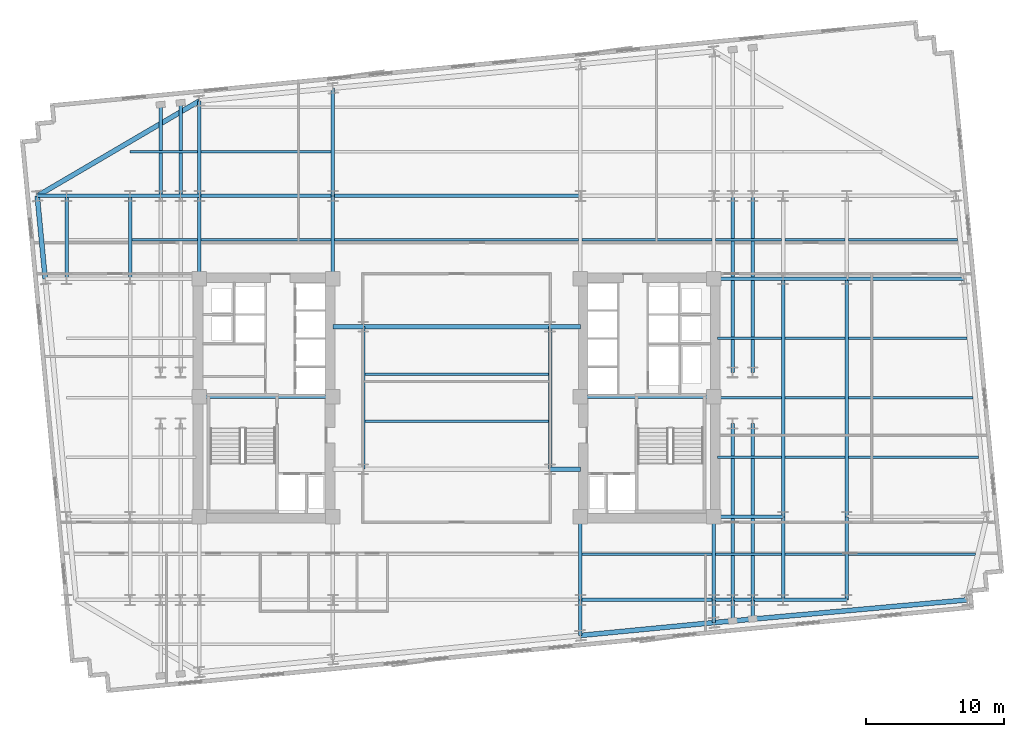
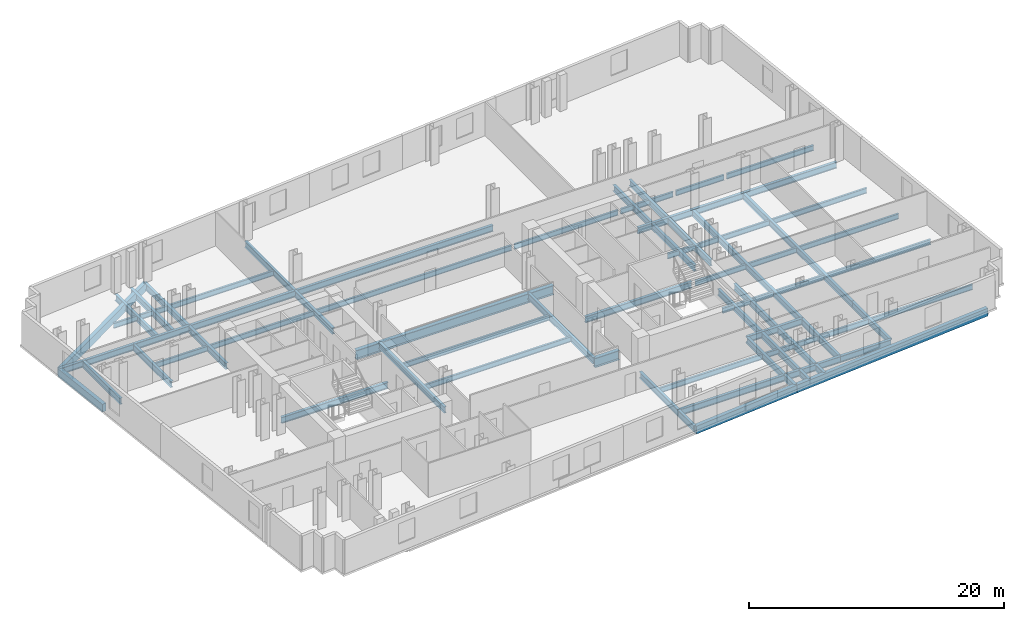
# One storey, part 2 of 10: 70 beams.
"""IFC4 building model written with IfcOpenShell, lengths in metres."""

import ifcopenshell
import ifcopenshell.guid

model = None  # the IFC model being written
_history = None  # IfcOwnerHistory: only IFC2X3 demands one
_inside = {}  # id of a spatial element -> (the spatial element, [elements in it])
_under = {}  # id of a project, library or spatial element -> (it, [spatial elements below it])
_declared = {}  # id of a project -> (the project, [libraries it declares])
_typed = {}  # id of a type object -> (the type object, [elements of that type])
_made_of = {}  # id of a material, layer set ... -> (it, [elements and type objects made of it])


def new_model(schema):
    """Start an empty IFC model of exactly this schema.

    Asked for "IFC4X3", IfcOpenShell would pick the latest addendum, in which some entities
    have other attributes; the version numbers below select the first issue.
    IFC2X3 requires an IfcOwnerHistory on every rooted entity: one is made here for all.
    """
    global model, _history
    if schema == "IFC4X3":
        model = ifcopenshell.file(schema_version=(4, 3, 0, 0))
    else:
        model = ifcopenshell.file(schema=schema)
    _inside.clear()
    _under.clear()
    _declared.clear()
    _typed.clear()
    _made_of.clear()
    _history = None
    if model.schema == "IFC2X3":
        org = make("IfcOrganization", Name="unknown")
        user = make(
            "IfcPersonAndOrganization",
            ThePerson=make("IfcPerson", FamilyName="unknown"),
            TheOrganization=org,
        )
        app = make(
            "IfcApplication",
            ApplicationDeveloper=org,
            Version="unknown",
            ApplicationFullName="unknown",
            ApplicationIdentifier="unknown",
        )
        _history = make(
            "IfcOwnerHistory",
            OwningUser=user,
            OwningApplication=app,
            ChangeAction="ADDED",
            CreationDate=0,
        )
    return model


def make(cls, **values):
    """One entity of the class cls with the attributes given. An attribute that is None is left unset."""
    return model.create_entity(
        cls, **{name: value for name, value in values.items() if value is not None}
    )


def rooted(cls, **values):
    """An entity with a GlobalId (a new one), such as an element, a storey or a relation."""
    return make(cls, GlobalId=ifcopenshell.guid.new(), OwnerHistory=_history, **values)


def si_unit(unit_type, name, prefix=None):
    """IfcSIUnit, for example si_unit("LENGTHUNIT", "METRE", prefix="MILLI")."""
    return make("IfcSIUnit", UnitType=unit_type, Prefix=prefix, Name=name)


def assignment(units):
    """IfcUnitAssignment: the units of a project."""
    return None if units is None else make("IfcUnitAssignment", Units=units)


def point(xyz):
    """IfcCartesianPoint."""
    return None if xyz is None else make("IfcCartesianPoint", Coordinates=xyz)


def direction(xyz):
    """IfcDirection."""
    return None if xyz is None else make("IfcDirection", DirectionRatios=xyz)


def frame(location, z_axis=None, x_axis=None):
    """IfcAxis2Placement3D, a coordinate frame: its origin and axes. An axis left out is left unset."""
    return make(
        "IfcAxis2Placement3D",
        Location=point(location),
        Axis=direction(z_axis),
        RefDirection=direction(x_axis),
    )


def frame_2d(location, x_axis=None):
    """IfcAxis2Placement2D, a coordinate frame in the plane: its origin and x axis."""
    return make(
        "IfcAxis2Placement2D", Location=point(location), RefDirection=direction(x_axis)
    )


def origin():
    """The frame at (0, 0, 0) with its axes left unset."""
    return frame((0.0, 0.0, 0.0))


def origin_2d():
    """The frame at (0, 0) in the plane with its x axis left unset."""
    return frame_2d((0.0, 0.0))


def place(relative_to, where):
    """IfcLocalPlacement: puts the frame where relative to a parent placement (None: the world)."""
    return make(
        "IfcLocalPlacement", PlacementRelTo=relative_to, RelativePlacement=where
    )


def context(
    kind, dimensions, precision=None, world=None, true_north=None, identifier=None
):
    """IfcGeometricRepresentationContext, for example the 3D "Model" context."""
    return make(
        "IfcGeometricRepresentationContext",
        ContextIdentifier=identifier,
        ContextType=kind,
        CoordinateSpaceDimension=dimensions,
        Precision=precision,
        WorldCoordinateSystem=world,
        TrueNorth=true_north,
    )


def subcontext(parent, identifier, kind, view, scale=None):
    """IfcGeometricRepresentationSubContext, for example "Body" below "Model"."""
    return make(
        "IfcGeometricRepresentationSubContext",
        ContextIdentifier=identifier,
        ContextType=kind,
        ParentContext=parent,
        TargetScale=scale,
        TargetView=view,
    )


def project(units=None, contexts=None):
    """IfcProject with its units and contexts."""
    return rooted(
        "IfcProject",
        Name="project",
        RepresentationContexts=contexts,
        UnitsInContext=assignment(units),
    )


def spatial(cls, under=None, at=None, **own):
    """A site, building, storey or space (cls), placed at a placement, below another one or the project."""
    s = rooted(cls, ObjectPlacement=at, **own)
    if under is not None:
        _under.setdefault(under.id(), (under, []))[1].append(s)
    return s


def profile(cls, at=None, kind="AREA", **sizes):
    """A parametric profile (cls). Its sizes go by their IFC names, for example OverallWidth=200.0."""
    return make(cls, ProfileType=kind, Position=at, **sizes)


def rectangle(**sizes):
    """IfcRectangleProfileDef."""
    return profile("IfcRectangleProfileDef", **sizes)


def i_section(**sizes):
    """IfcIShapeProfileDef."""
    return profile("IfcIShapeProfileDef", **sizes)


def extrude(swept, where, along, depth):
    """IfcExtrudedAreaSolid: the profile swept, set in the frame where, extruded along a direction by depth."""
    return make(
        "IfcExtrudedAreaSolid",
        SweptArea=swept,
        Position=where,
        ExtrudedDirection=direction(along),
        Depth=depth,
    )


def shape(context_of_items, identifier, shape_type, items):
    """IfcShapeRepresentation: the items that make up one representation, for example the "Body"."""
    return make(
        "IfcShapeRepresentation",
        ContextOfItems=context_of_items,
        RepresentationIdentifier=identifier,
        RepresentationType=shape_type,
        Items=items,
    )


def material(Name=None, Category=None):
    """IfcMaterial."""
    return make("IfcMaterial", Name=Name, Category=Category)


def material_profile(
    of_material, cross_section, Name=None, Category=None, Priority=None
):
    """IfcMaterialProfile: a cross section and its material."""
    return make(
        "IfcMaterialProfile",
        Name=Name,
        Material=of_material,
        Profile=cross_section,
        Priority=Priority,
        Category=Category,
    )


def profile_set(profiles, Name=None, composite=None):
    """IfcMaterialProfileSet."""
    return make(
        "IfcMaterialProfileSet",
        Name=Name,
        MaterialProfiles=profiles,
        CompositeProfile=composite,
    )


def made_of(thing, what):
    """Note that an element or type object is made of a material, layer set ...; save() writes the relation."""
    if what is not None:
        _made_of.setdefault(what.id(), (what, []))[1].append(thing)
    return thing


def type_object(cls, material=None, **own):
    """A type object (cls), such as IfcWallType, which elements share."""
    return made_of(rooted(cls, **own), material)


def element(
    cls,
    number,
    at=None,
    inside=None,
    cuts=None,
    type_object=None,
    material=None,
    context=None,
    identifier="Body",
    shape_type=None,
    held_by="IfcProductDefinitionShape",
    body=None,
    shapes=None,
    **own,
):
    """One element of the class cls, such as IfcWall. Its Tag is "e" and its number.

    at: its placement. inside: the storey or other place that contains it. cuts: it is an
    opening in that element (IfcRelVoidsElement). A single representation is given by context,
    identifier, shape_type and body (its items); several are given by shapes. held_by: the class
    of the entity that holds the representations. save() writes the other relations.
    """
    e = rooted(cls, Tag="e%d" % number, ObjectPlacement=at, **own)
    if body is not None:
        shapes = [shape(context, identifier, shape_type, body)]
    if shapes is not None:
        e.Representation = make(held_by, Representations=shapes)
    if inside is not None:
        _inside.setdefault(inside.id(), (inside, []))[1].append(e)
    if cuts is not None:
        rooted(
            "IfcRelVoidsElement", RelatingBuildingElement=cuts, RelatedOpeningElement=e
        )
    if type_object is not None:
        _typed.setdefault(type_object.id(), (type_object, []))[1].append(e)
    return made_of(e, material)


def aggregate(whole, parts):
    """IfcRelAggregates: a whole, such as a stair, and the parts it consists of."""
    return rooted("IfcRelAggregates", RelatingObject=whole, RelatedObjects=parts)


def save(model, path):
    """Write the relations noted so far, then the file.

    IfcRelAggregates (storeys below a building ...), IfcRelContainedInSpatialStructure (elements
    in a storey), IfcRelDefinesByType, IfcRelAssociatesMaterial and IfcRelDeclares: one each for
    every whole, place, type object, material and project.
    """
    for whole, parts in _under.values():
        aggregate(whole, parts)
    for where, things in _inside.values():
        rooted(
            "IfcRelContainedInSpatialStructure",
            RelatedElements=things,
            RelatingStructure=where,
        )
    for kind, things in _typed.values():
        rooted("IfcRelDefinesByType", RelatedObjects=things, RelatingType=kind)
    for what, things in _made_of.values():
        rooted("IfcRelAssociatesMaterial", RelatedObjects=things, RelatingMaterial=what)
    for by, libraries in _declared.values():
        rooted("IfcRelDeclares", RelatingContext=by, RelatedDefinitions=libraries)
    model.write(path)


model = new_model("IFC4")

# Units and contexts
model_context = context("Model", 3, precision=1e-05, world=origin(), true_north=direction((0.0, 1.0)))
body_context = subcontext(model_context, "Body", "Model", "MODEL_VIEW")
ifc_project = project(units=[si_unit("LENGTHUNIT", "METRE"), si_unit("AREAUNIT", "SQUARE_METRE"), si_unit("VOLUMEUNIT", "CUBIC_METRE"), si_unit("PLANEANGLEUNIT", "RADIAN"), si_unit("MASSUNIT", "GRAM", prefix="KILO")], contexts=[model_context])

# Site, building, storey
site_placement = place(None, origin())
site = spatial("IfcSite", under=ifc_project, at=site_placement, CompositionType="ELEMENT")
building_placement = place(site_placement, origin())
building = spatial("IfcBuilding", under=site, at=building_placement, Name="Velakula Bourse", CompositionType="ELEMENT")
storey_placement = place(building_placement, frame((0.0, 0.0, 81.10009765625)))
storey = spatial("IfcBuildingStorey", under=building, at=storey_placement, Name="L21", CompositionType="ELEMENT", Elevation=81.10009765625)

# Beams
ifc_material_1 = material(Name="Steel IS 2062 Grade 350 (E350)", Category="steel")
ifc_material_profile_1 = material_profile(ifc_material_1, i_section(OverallWidth=0.25, OverallDepth=0.60009765625, WebThickness=0.01171875, FlangeThickness=0.023681640625, at=origin_2d()), Name="Steel IS 2062 Grade 350 (E350)")
ifc_profile_set_1 = profile_set([ifc_material_profile_1], Name="Steel IS 2062 Grade 350 (E350)")
beam_type_1 = type_object("IfcBeamType", Name="BM-GRD-600H", PredefinedType="BEAM", material=ifc_profile_set_1)
for number, where, z_axis, x_axis, name in (
    (1, (-18.60009765625, 0.10009765625, -0.47998046875), (1.0, 0.0, 0.0), (0.0, 1.0, 0.0), "L21 Primary Backbone Girder CRW-M"),
    (2, (8.949951171875, 0.10009765625, -0.47998046875), (1.0, 0.0, 0.0), (0.0, 1.0, 0.0), "L21 Primary Backbone Girder CRE-M"),
):
    element("IfcBeam", number, at=place(storey_placement, frame(where, z_axis=z_axis, x_axis=x_axis)), inside=storey, type_object=beam_type_1, Name=name, PredefinedType="BEAM", context=body_context, shape_type="SweptSolid", body=[
        extrude(i_section(OverallWidth=0.25, OverallDepth=0.60009765625, WebThickness=0.01171875, FlangeThickness=0.023681640625, at=origin_2d()), origin(), (0.0, 0.0, 1.0), 9.650146484375),
    ])
for number, where, z_axis, x_axis, name in (
    (3, (-6.75, -5.14990234375, -0.47998046875), (0.0, 1.0, 0.0), (-1.0, 0.0, 0.0), "L21 Primary Backbone Girder SPN-W"),
    (4, (6.75, -5.14990234375, -0.47998046875), (0.0, 1.0, 0.0), (-1.0, 0.0, 0.0), "L21 Primary Backbone Girder SPN-E"),
):
    element("IfcBeam", number, at=place(storey_placement, frame(where, z_axis=z_axis, x_axis=x_axis)), inside=storey, type_object=beam_type_1, Name=name, PredefinedType="BEAM", context=body_context, shape_type="SweptSolid", body=[
        extrude(i_section(OverallWidth=0.25, OverallDepth=0.60009765625, WebThickness=0.01171875, FlangeThickness=0.023681640625, at=origin_2d()), origin(), (0.0, 0.0, 1.0), 10.2998046875),
    ])
for number, where, z_axis, x_axis, name in (
    (5, (-18.60009765625, 8.60009765625, -0.47998046875), (0.0, 1.0, 0.0), (-1.0, 0.0, 0.0), "L21 Fulcrum Grid Girder FLC-WN"),
    (6, (-8.949951171875, 8.60009765625, -0.47998046875), (0.0, 1.0, 0.0), (-1.0, 0.0, 0.0), "L21 Fulcrum Grid Girder FLC-WCN"),
    (7, (8.949951171875, -14.60009765625, -0.47998046875), (0.0, 1.0, 0.0), (-1.0, 0.0, 0.0), "L21 Fulcrum Grid Girder FLC-ECS"),
    (8, (18.60009765625, -14.60009765625, -0.47998046875), (0.0, 1.0, 0.0), (-1.0, 0.0, 0.0), "L21 Fulcrum Grid Girder FLC-ES"),
):
    element("IfcBeam", number, at=place(storey_placement, frame(where, z_axis=z_axis, x_axis=x_axis)), inside=storey, type_object=beam_type_1, Name=name, PredefinedType="BEAM", context=body_context, shape_type="SweptSolid", body=[
        extrude(i_section(OverallWidth=0.25, OverallDepth=0.60009765625, WebThickness=0.01171875, FlangeThickness=0.023681640625, at=origin_2d()), origin(), (0.0, 0.0, 1.0), 6.0),
    ])
for number, where, z_axis, x_axis, name in (
    (9, (8.949951171875, -14.60009765625, -0.47998046875), (1.0, 0.0, 0.0), (0.0, 1.0, 0.0), "L21 Fulcrum Grid Girder FLC-S3"),
    (10, (-18.60009765625, 14.60009765625, -0.47998046875), (1.0, 0.0, 0.0), (0.0, 1.0, 0.0), "L21 Fulcrum Grid Girder FLC-N1"),
):
    element("IfcBeam", number, at=place(storey_placement, frame(where, z_axis=z_axis, x_axis=x_axis)), inside=storey, type_object=beam_type_1, Name=name, PredefinedType="BEAM", context=body_context, shape_type="SweptSolid", body=[
        extrude(i_section(OverallWidth=0.25, OverallDepth=0.60009765625, WebThickness=0.01171875, FlangeThickness=0.023681640625, at=origin_2d()), origin(), (0.0, 0.0, 1.0), 9.650146484375),
    ])
beam_1_placement = place(storey_placement, frame((-8.949951171875, 14.60009765625, -0.47998046875), z_axis=(1.0, 0.0, 0.0), x_axis=(0.0, 1.0, 0.0)))
element("IfcBeam", 11, at=beam_1_placement, inside=storey, type_object=beam_type_1, Name="L21 Fulcrum Grid Girder FLC-N2", PredefinedType="BEAM", context=body_context, shape_type="SweptSolid", body=[
    extrude(i_section(OverallWidth=0.25, OverallDepth=0.60009765625, WebThickness=0.01171875, FlangeThickness=0.023681640625, at=origin_2d()), origin(), (0.0, 0.0, 1.0), 17.89990234375),
])
for number, where, z_axis, x_axis, name in (
    (12, (19.949951171875, -14.60009765625, -0.47998046875), (0.0, 1.0, 0.0), (-1.0, 0.0, 0.0), "L21 Fulcrum Grid Girder FLC-PSE1"),
    (13, (19.949951171875, 1.85009765625, -0.47998046875), (0.0, 1.0, 0.0), (-1.0, 0.0, 0.0), "L21 Fulcrum Grid Girder FLC-PNE1"),
    (14, (21.39990234375, -14.60009765625, -0.47998046875), (0.0, 1.0, 0.0), (-1.0, 0.0, 0.0), "L21 Fulcrum Grid Girder FLC-PSE2"),
    (15, (21.39990234375, 1.85009765625, -0.47998046875), (0.0, 1.0, 0.0), (-1.0, 0.0, 0.0), "L21 Fulcrum Grid Girder FLC-PNE2"),
):
    element("IfcBeam", number, at=place(storey_placement, frame(where, z_axis=z_axis, x_axis=x_axis)), inside=storey, type_object=beam_type_1, Name=name, PredefinedType="BEAM", context=body_context, shape_type="SweptSolid", body=[
        extrude(i_section(OverallWidth=0.25, OverallDepth=0.60009765625, WebThickness=0.01171875, FlangeThickness=0.023681640625, at=origin_2d()), origin(), (0.0, 0.0, 1.0), 12.75),
    ])
beam_2_placement = place(storey_placement, frame((-23.60009765625, 14.60009765625, -0.47998046875), z_axis=(1.0, 0.0, 0.0), x_axis=(0.0, 1.0, 0.0)))
element("IfcBeam", 16, at=beam_2_placement, inside=storey, type_object=beam_type_1, Name="L21 Fulcrum Grid Girder MWG-WN2", PredefinedType="BEAM", context=body_context, shape_type="SweptSolid", body=[
    extrude(i_section(OverallWidth=0.25, OverallDepth=0.60009765625, WebThickness=0.01171875, FlangeThickness=0.023681640625, at=origin_2d()), origin(), (0.0, 0.0, 1.0), 5.0),
])
beam_3_placement = place(storey_placement, frame((-23.60009765625, 8.60009765625, -0.47998046875), z_axis=(0.0, 1.0, 0.0), x_axis=(-1.0, 0.0, 0.0)))
element("IfcBeam", 17, at=beam_3_placement, inside=storey, type_object=beam_type_1, Name="L21 Fulcrum Grid Girder MWG-WNS3", PredefinedType="BEAM", context=body_context, shape_type="SweptSolid", body=[
    extrude(i_section(OverallWidth=0.25, OverallDepth=0.60009765625, WebThickness=0.01171875, FlangeThickness=0.023681640625, at=origin_2d()), origin(), (0.0, 0.0, 1.0), 6.0),
])
for number, where, z_axis, x_axis, name in (
    (18, (18.60009765625, -14.60009765625, -0.47998046875), (1.0, 0.0, 0.0), (0.0, 1.0, 0.0), "L21 Fulcrum Grid Girder MWG-ES1"),
    (19, (18.60009765625, -8.60009765625, -0.47998046875), (1.0, 0.0, 0.0), (0.0, 1.0, 0.0), "L21 Fulcrum Grid Girder MWG-ES2"),
    (20, (18.60009765625, 8.60009765625, -0.47998046875), (1.0, 0.0, 0.0), (0.0, 1.0, 0.0), "L21 Fulcrum Grid Girder MWG-EN1"),
):
    element("IfcBeam", number, at=place(storey_placement, frame(where, z_axis=z_axis, x_axis=x_axis)), inside=storey, type_object=beam_type_1, Name=name, PredefinedType="BEAM", context=body_context, shape_type="SweptSolid", body=[
        extrude(i_section(OverallWidth=0.25, OverallDepth=0.60009765625, WebThickness=0.01171875, FlangeThickness=0.023681640625, at=origin_2d()), origin(), (0.0, 0.0, 1.0), 5.0),
    ])
beam_4_placement = place(storey_placement, frame((23.60009765625, -14.60009765625, -0.47998046875), z_axis=(0.0, 1.0, 0.0), x_axis=(-1.0, 0.0, 0.0)))
element("IfcBeam", 21, at=beam_4_placement, inside=storey, type_object=beam_type_1, Name="L21 Fulcrum Grid Girder MWG-ENS1", PredefinedType="BEAM", context=body_context, shape_type="SweptSolid", body=[
    extrude(i_section(OverallWidth=0.25, OverallDepth=0.60009765625, WebThickness=0.01171875, FlangeThickness=0.023681640625, at=origin_2d()), origin(), (0.0, 0.0, 1.0), 6.0),
])
beam_5_placement = place(storey_placement, frame((23.60009765625, -8.60009765625, -0.47998046875), z_axis=(0.0, 1.0, 0.0), x_axis=(-1.0, 0.0, 0.0)))
element("IfcBeam", 22, at=beam_5_placement, inside=storey, type_object=beam_type_1, Name="L21 Fulcrum Grid Girder MWG-ENS2", PredefinedType="BEAM", context=body_context, shape_type="SweptSolid", body=[
    extrude(i_section(OverallWidth=0.25, OverallDepth=0.60009765625, WebThickness=0.01171875, FlangeThickness=0.023681640625, at=origin_2d()), origin(), (0.0, 0.0, 1.0), 17.2001953125),
])
beam_6_placement = place(storey_placement, frame((-28.199951171875, 14.60009765625, -0.47998046875), z_axis=(1.0, 0.0, 0.0), x_axis=(0.0, 1.0, 0.0)))
element("IfcBeam", 23, at=beam_6_placement, inside=storey, type_object=beam_type_1, Name="L21 Fulcrum Grid Girder WNG-WN2", PredefinedType="BEAM", context=body_context, shape_type="SweptSolid", body=[
    extrude(i_section(OverallWidth=0.25, OverallDepth=0.60009765625, WebThickness=0.01171875, FlangeThickness=0.023681640625, at=origin_2d()), origin(), (0.0, 0.0, 1.0), 4.599853515625),
])
beam_7_placement = place(storey_placement, frame((-28.199951171875, 8.60009765625, -0.47998046875), z_axis=(0.0, 1.0, 0.0), x_axis=(-1.0, 0.0, 0.0)))
element("IfcBeam", 24, at=beam_7_placement, inside=storey, type_object=beam_type_1, Name="L21 Fulcrum Grid Girder WNG-WNS3", PredefinedType="BEAM", context=body_context, shape_type="SweptSolid", body=[
    extrude(i_section(OverallWidth=0.25, OverallDepth=0.60009765625, WebThickness=0.01171875, FlangeThickness=0.023681640625, at=origin_2d()), origin(), (0.0, 0.0, 1.0), 6.0),
])
for number, where, z_axis, x_axis, name in (
    (25, (23.60009765625, -14.60009765625, -0.47998046875), (1.0, 0.0, 0.0), (0.0, 1.0, 0.0), "L21 Fulcrum Grid Girder WNG-ES1"),
    (26, (23.60009765625, 8.60009765625, -0.47998046875), (1.0, 0.0, 0.0), (0.0, 1.0, 0.0), "L21 Fulcrum Grid Girder WNG-EN1"),
):
    element("IfcBeam", number, at=place(storey_placement, frame(where, z_axis=z_axis, x_axis=x_axis)), inside=storey, type_object=beam_type_1, Name=name, PredefinedType="BEAM", context=body_context, shape_type="SweptSolid", body=[
        extrude(i_section(OverallWidth=0.25, OverallDepth=0.60009765625, WebThickness=0.01171875, FlangeThickness=0.023681640625, at=origin_2d()), origin(), (0.0, 0.0, 1.0), 4.599853515625),
    ])
beam_8_placement = place(storey_placement, frame((28.199951171875, -14.60009765625, -0.47998046875), z_axis=(0.0, 1.0, 0.0), x_axis=(-1.0, 0.0, 0.0)))
element("IfcBeam", 27, at=beam_8_placement, inside=storey, type_object=beam_type_1, Name="L21 Fulcrum Grid Girder WNG-ENS1", PredefinedType="BEAM", context=body_context, shape_type="SweptSolid", body=[
    extrude(i_section(OverallWidth=0.25, OverallDepth=0.60009765625, WebThickness=0.01171875, FlangeThickness=0.023681640625, at=origin_2d()), origin(), (0.0, 0.0, 1.0), 6.0),
])
beam_9_placement = place(storey_placement, frame((28.199951171875, -8.60009765625, -0.47998046875), z_axis=(0.0, 1.0, 0.0), x_axis=(-1.0, 0.0, 0.0)))
element("IfcBeam", 28, at=beam_9_placement, inside=storey, type_object=beam_type_1, Name="L21 Fulcrum Grid Girder WNG-ENS2", PredefinedType="BEAM", context=body_context, shape_type="SweptSolid", body=[
    extrude(i_section(OverallWidth=0.25, OverallDepth=0.60009765625, WebThickness=0.01171875, FlangeThickness=0.023681640625, at=origin_2d()), origin(), (0.0, 0.0, 1.0), 17.2001953125),
])
beam_10_placement = place(storey_placement, frame((8.949951171875, -14.60009765625, -0.47998046875), z_axis=(0.0, -1.0, 0.0), x_axis=(1.0, 0.0, 0.0)))
element("IfcBeam", 29, at=beam_10_placement, inside=storey, type_object=beam_type_1, Name="L21 Perimeter Tie Girder S3", PredefinedType="BEAM", context=body_context, shape_type="SweptSolid", body=[
    extrude(i_section(OverallWidth=0.25, OverallDepth=0.60009765625, WebThickness=0.01171875, FlangeThickness=0.023681640625, at=origin_2d()), origin(), (0.0, 0.0, 1.0), 2.568359375),
])
beam_11_placement = place(storey_placement, frame((18.60009765625, -14.60009765625, -0.47998046875), z_axis=(0.0, -1.0, 0.0), x_axis=(1.0, 0.0, 0.0)))
element("IfcBeam", 30, at=beam_11_placement, inside=storey, type_object=beam_type_1, Name="L21 Perimeter Tie Girder S4", PredefinedType="BEAM", context=body_context, shape_type="SweptSolid", body=[
    extrude(i_section(OverallWidth=0.25, OverallDepth=0.60009765625, WebThickness=0.01171875, FlangeThickness=0.023681640625, at=origin_2d()), origin(), (0.0, 0.0, 1.0), 1.63916015625),
])
beam_12_placement = place(storey_placement, frame((-18.60009765625, 14.60009765625, -0.47998046875), z_axis=(0.0, 1.0, 0.0), x_axis=(-1.0, 0.0, 0.0)))
element("IfcBeam", 31, at=beam_12_placement, inside=storey, type_object=beam_type_1, Name="L21 Perimeter Tie Girder N1", PredefinedType="BEAM", context=body_context, shape_type="SweptSolid", body=[
    extrude(i_section(OverallWidth=0.25, OverallDepth=0.60009765625, WebThickness=0.01171875, FlangeThickness=0.023681640625, at=origin_2d()), origin(), (0.0, 0.0, 1.0), 6.868896484375),
])
beam_13_placement = place(storey_placement, frame((-8.949951171875, 14.60009765625, -0.47998046875), z_axis=(0.0, 1.0, 0.0), x_axis=(-1.0, 0.0, 0.0)))
element("IfcBeam", 32, at=beam_13_placement, inside=storey, type_object=beam_type_1, Name="L21 Perimeter Tie Girder N2", PredefinedType="BEAM", context=body_context, shape_type="SweptSolid", body=[
    extrude(i_section(OverallWidth=0.25, OverallDepth=0.60009765625, WebThickness=0.01171875, FlangeThickness=0.023681640625, at=origin_2d()), origin(), (0.0, 0.0, 1.0), 7.798095703125),
])
beam_14_placement = place(storey_placement, frame((-28.199951171875, 14.60009765625, -0.47998046875), z_axis=(-1.0, 0.0, 0.0), x_axis=(0.0, -1.0, 0.0)))
element("IfcBeam", 33, at=beam_14_placement, inside=storey, type_object=beam_type_1, Name="L21 Perimeter Tie Girder W4", PredefinedType="BEAM", context=body_context, shape_type="SweptSolid", body=[
    extrude(i_section(OverallWidth=0.25, OverallDepth=0.60009765625, WebThickness=0.01171875, FlangeThickness=0.023681640625, at=origin_2d()), origin(), (0.0, 0.0, 1.0), 2.119873046875),
])
beam_15_placement = place(storey_placement, frame((28.199951171875, 8.60009765625, -0.47998046875), z_axis=(1.0, 0.0, 0.0), x_axis=(0.0, 1.0, 0.0)))
element("IfcBeam", 34, at=beam_15_placement, inside=storey, type_object=beam_type_1, Name="L21 Perimeter Tie Girder E3", PredefinedType="BEAM", context=body_context, shape_type="SweptSolid", body=[
    extrude(i_section(OverallWidth=0.25, OverallDepth=0.60009765625, WebThickness=0.01171875, FlangeThickness=0.023681640625, at=origin_2d()), origin(), (0.0, 0.0, 1.0), 8.463623046875),
])
beam_16_placement = place(storey_placement, frame((19.949951171875, -14.60009765625, -0.47998046875), z_axis=(0.0, -1.0, 0.0), x_axis=(1.0, 0.0, 0.0)))
element("IfcBeam", 35, at=beam_16_placement, inside=storey, type_object=beam_type_1, Name="L21 Perimeter Tie Girder P03", PredefinedType="BEAM", context=body_context, shape_type="SweptSolid", body=[
    extrude(i_section(OverallWidth=0.25, OverallDepth=0.60009765625, WebThickness=0.01171875, FlangeThickness=0.023681640625, at=origin_2d()), origin(), (0.0, 0.0, 1.0), 1.509033203125),
])
beam_17_placement = place(storey_placement, frame((21.39990234375, -14.60009765625, -0.47998046875), z_axis=(0.0, -1.0, 0.0), x_axis=(1.0, 0.0, 0.0)))
element("IfcBeam", 36, at=beam_17_placement, inside=storey, type_object=beam_type_1, Name="L21 Perimeter Tie Girder P04", PredefinedType="BEAM", context=body_context, shape_type="SweptSolid", body=[
    extrude(i_section(OverallWidth=0.25, OverallDepth=0.60009765625, WebThickness=0.01171875, FlangeThickness=0.023681640625, at=origin_2d()), origin(), (0.0, 0.0, 1.0), 1.369384765625),
])
beam_18_placement = place(storey_placement, frame((-21.39990234375, 14.60009765625, -0.47998046875), z_axis=(0.0, 1.0, 0.0), x_axis=(-1.0, 0.0, 0.0)))
element("IfcBeam", 37, at=beam_18_placement, inside=storey, type_object=beam_type_1, Name="L21 Perimeter Tie Girder P05", PredefinedType="BEAM", context=body_context, shape_type="SweptSolid", body=[
    extrude(i_section(OverallWidth=0.25, OverallDepth=0.60009765625, WebThickness=0.01171875, FlangeThickness=0.023681640625, at=origin_2d()), origin(), (0.0, 0.0, 1.0), 6.59912109375),
])
beam_19_placement = place(storey_placement, frame((-19.949951171875, 14.60009765625, -0.47998046875), z_axis=(0.0, 1.0, 0.0), x_axis=(-1.0, 0.0, 0.0)))
element("IfcBeam", 38, at=beam_19_placement, inside=storey, type_object=beam_type_1, Name="L21 Perimeter Tie Girder P06", PredefinedType="BEAM", context=body_context, shape_type="SweptSolid", body=[
    extrude(i_section(OverallWidth=0.25, OverallDepth=0.60009765625, WebThickness=0.01171875, FlangeThickness=0.023681640625, at=origin_2d()), origin(), (0.0, 0.0, 1.0), 6.73876953125),
])
ifc_material_profile_2 = material_profile(ifc_material_1, i_section(OverallWidth=0.35009765625, OverallDepth=0.89990234375, WebThickness=0.02001953125, FlangeThickness=0.031982421875, at=origin_2d()), Name="Steel IS 2062 Grade 350 (E350)")
ifc_profile_set_2 = profile_set([ifc_material_profile_2], Name="Steel IS 2062 Grade 350 (E350)")
beam_type_2 = type_object("IfcBeamType", Name="BM-LNK-900", PredefinedType="BEAM", material=ifc_profile_set_2)
for number, where, z_axis, x_axis, name in (
    (39, (6.75, -5.14990234375, -0.630126953125), (1.0, 0.0, 0.0), (0.0, 1.0, 0.0), "L21 Primary Backbone Girder LNK-S3"),
    (40, (-8.949951171875, 5.14990234375, -0.630126953125), (1.0, 0.0, 0.0), (0.0, 1.0, 0.0), "L21 Primary Backbone Girder LNK-N1"),
):
    element("IfcBeam", number, at=place(storey_placement, frame(where, z_axis=z_axis, x_axis=x_axis)), inside=storey, type_object=beam_type_2, Name=name, PredefinedType="BEAM", context=body_context, shape_type="SweptSolid", body=[
        extrude(i_section(OverallWidth=0.35009765625, OverallDepth=0.89990234375, WebThickness=0.02001953125, FlangeThickness=0.031982421875, at=origin_2d()), origin(), (0.0, 0.0, 1.0), 2.199951171875),
    ])
beam_20_placement = place(storey_placement, frame((-6.75, 5.14990234375, -0.630126953125), z_axis=(1.0, 0.0, 0.0), x_axis=(0.0, 1.0, 0.0)))
element("IfcBeam", 41, at=beam_20_placement, inside=storey, type_object=beam_type_2, Name="L21 Primary Backbone Girder LNK-N2", PredefinedType="BEAM", context=body_context, shape_type="SweptSolid", body=[
    extrude(i_section(OverallWidth=0.35009765625, OverallDepth=0.89990234375, WebThickness=0.02001953125, FlangeThickness=0.031982421875, at=origin_2d()), origin(), (0.0, 0.0, 1.0), 13.5),
])
beam_21_placement = place(storey_placement, frame((6.75, 5.14990234375, -0.630126953125), z_axis=(1.0, 0.0, 0.0), x_axis=(0.0, 1.0, 0.0)))
element("IfcBeam", 42, at=beam_21_placement, inside=storey, type_object=beam_type_2, Name="L21 Primary Backbone Girder LNK-N3", PredefinedType="BEAM", context=body_context, shape_type="SweptSolid", body=[
    extrude(i_section(OverallWidth=0.35009765625, OverallDepth=0.89990234375, WebThickness=0.02001953125, FlangeThickness=0.031982421875, at=origin_2d()), origin(), (0.0, 0.0, 1.0), 2.199951171875),
])
ifc_material_profile_3 = material_profile(ifc_material_1, i_section(OverallWidth=0.179931640625, OverallDepth=0.5, WebThickness=0.01025390625, FlangeThickness=0.01708984375, at=origin_2d()), Name="Steel IS 2062 Grade 350 (E350)")
ifc_profile_set_3 = profile_set([ifc_material_profile_3], Name="Steel IS 2062 Grade 350 (E350)")
beam_type_3 = type_object("IfcBeamType", Name="JST-TWR-500", PredefinedType="JOIST", material=ifc_profile_set_3)
beam_22_placement = place(storey_placement, frame((9.074951171875, -11.300048828125, -0.43017578125), z_axis=(1.0, 0.0, 0.0), x_axis=(0.0, 1.0, 0.0)))
element("IfcBeam", 43, at=beam_22_placement, inside=storey, type_object=beam_type_3, Name="L21 Trading Floor Composite Joist 08", PredefinedType="JOIST", context=body_context, shape_type="SweptSolid", body=[
    extrude(i_section(OverallWidth=0.179931640625, OverallDepth=0.5, WebThickness=0.01025390625, FlangeThickness=0.01708984375, at=origin_2d()), origin(), (0.0, 0.0, 1.0), 9.400146484375),
])
beam_23_placement = place(storey_placement, frame((18.72509765625, -11.300048828125, -0.43017578125), z_axis=(1.0, 0.0, 0.0), x_axis=(0.0, 1.0, 0.0)))
element("IfcBeam", 44, at=beam_23_placement, inside=storey, type_object=beam_type_3, Name="L21 Trading Floor Composite Joist 09", PredefinedType="JOIST", context=body_context, shape_type="SweptSolid", body=[
    extrude(i_section(OverallWidth=0.179931640625, OverallDepth=0.5, WebThickness=0.01025390625, FlangeThickness=0.01708984375, at=origin_2d()), origin(), (0.0, 0.0, 1.0), 4.75),
])
beam_24_placement = place(storey_placement, frame((23.72509765625, -11.300048828125, -0.43017578125), z_axis=(1.0, 0.0, 0.0), x_axis=(0.0, 1.0, 0.0)))
element("IfcBeam", 45, at=beam_24_placement, inside=storey, type_object=beam_type_3, Name="L21 Trading Floor Composite Joist 10", PredefinedType="JOIST", context=body_context, shape_type="SweptSolid", body=[
    extrude(i_section(OverallWidth=0.179931640625, OverallDepth=0.5, WebThickness=0.01025390625, FlangeThickness=0.01708984375, at=origin_2d()), origin(), (0.0, 0.0, 1.0), 4.349853515625),
])
beam_25_placement = place(storey_placement, frame((28.324951171875, -11.300048828125, -0.43017578125), z_axis=(1.0, 0.0, 0.0), x_axis=(0.0, 1.0, 0.0)))
element("IfcBeam", 46, at=beam_25_placement, inside=storey, type_object=beam_type_3, Name="L21 Trading Floor Composite Joist 11", PredefinedType="JOIST", context=body_context, shape_type="SweptSolid", body=[
    extrude(i_section(OverallWidth=0.179931640625, OverallDepth=0.5, WebThickness=0.01025390625, FlangeThickness=0.01708984375, at=origin_2d()), origin(), (0.0, 0.0, 1.0), 9.170654296875),
])
beam_26_placement = place(storey_placement, frame((-23.47509765625, 11.449951171875, -0.43017578125), z_axis=(1.0, 0.0, 0.0), x_axis=(0.0, 1.0, 0.0)))
element("IfcBeam", 47, at=beam_26_placement, inside=storey, type_object=beam_type_3, Name="L21 Trading Floor Composite Joist 13", PredefinedType="JOIST", context=body_context, shape_type="SweptSolid", body=[
    extrude(i_section(OverallWidth=0.179931640625, OverallDepth=0.5, WebThickness=0.01025390625, FlangeThickness=0.01708984375, at=origin_2d()), origin(), (0.0, 0.0, 1.0), 4.75),
])
beam_27_placement = place(storey_placement, frame((-18.47509765625, 11.449951171875, -0.43017578125), z_axis=(1.0, 0.0, 0.0), x_axis=(0.0, 1.0, 0.0)))
element("IfcBeam", 48, at=beam_27_placement, inside=storey, type_object=beam_type_3, Name="L21 Trading Floor Composite Joist 14", PredefinedType="JOIST", context=body_context, shape_type="SweptSolid", body=[
    extrude(i_section(OverallWidth=0.179931640625, OverallDepth=0.5, WebThickness=0.01025390625, FlangeThickness=0.01708984375, at=origin_2d()), origin(), (0.0, 0.0, 1.0), 9.400146484375),
])
beam_28_placement = place(storey_placement, frame((-8.824951171875, 11.449951171875, -0.43017578125), z_axis=(1.0, 0.0, 0.0), x_axis=(0.0, 1.0, 0.0)))
element("IfcBeam", 49, at=beam_28_placement, inside=storey, type_object=beam_type_3, Name="L21 Trading Floor Composite Joist 15", PredefinedType="JOIST", context=body_context, shape_type="SweptSolid", body=[
    extrude(i_section(OverallWidth=0.179931640625, OverallDepth=0.5, WebThickness=0.01025390625, FlangeThickness=0.01708984375, at=origin_2d()), origin(), (0.0, 0.0, 1.0), 17.64990234375),
])
beam_29_placement = place(storey_placement, frame((9.074951171875, 11.449951171875, -0.43017578125), z_axis=(1.0, 0.0, 0.0), x_axis=(0.0, 1.0, 0.0)))
element("IfcBeam", 50, at=beam_29_placement, inside=storey, type_object=beam_type_3, Name="L21 Trading Floor Composite Joist 16", PredefinedType="JOIST", context=body_context, shape_type="SweptSolid", body=[
    extrude(i_section(OverallWidth=0.179931640625, OverallDepth=0.5, WebThickness=0.01025390625, FlangeThickness=0.01708984375, at=origin_2d()), origin(), (0.0, 0.0, 1.0), 9.400146484375),
])
beam_30_placement = place(storey_placement, frame((18.72509765625, 11.449951171875, -0.43017578125), z_axis=(1.0, 0.0, 0.0), x_axis=(0.0, 1.0, 0.0)))
element("IfcBeam", 51, at=beam_30_placement, inside=storey, type_object=beam_type_3, Name="L21 Trading Floor Composite Joist 17", PredefinedType="JOIST", context=body_context, shape_type="SweptSolid", body=[
    extrude(i_section(OverallWidth=0.179931640625, OverallDepth=0.5, WebThickness=0.01025390625, FlangeThickness=0.01708984375, at=origin_2d()), origin(), (0.0, 0.0, 1.0), 4.75),
])
beam_31_placement = place(storey_placement, frame((23.72509765625, 11.449951171875, -0.43017578125), z_axis=(1.0, 0.0, 0.0), x_axis=(0.0, 1.0, 0.0)))
element("IfcBeam", 52, at=beam_31_placement, inside=storey, type_object=beam_type_3, Name="L21 Trading Floor Composite Joist 18", PredefinedType="JOIST", context=body_context, shape_type="SweptSolid", body=[
    extrude(i_section(OverallWidth=0.179931640625, OverallDepth=0.5, WebThickness=0.01025390625, FlangeThickness=0.01708984375, at=origin_2d()), origin(), (0.0, 0.0, 1.0), 4.349853515625),
])
beam_32_placement = place(storey_placement, frame((28.324951171875, 11.449951171875, -0.43017578125), z_axis=(1.0, 0.0, 0.0), x_axis=(0.0, 1.0, 0.0)))
element("IfcBeam", 53, at=beam_32_placement, inside=storey, type_object=beam_type_3, Name="L21 Trading Floor Composite Joist 19", PredefinedType="JOIST", context=body_context, shape_type="SweptSolid", body=[
    extrude(i_section(OverallWidth=0.179931640625, OverallDepth=0.5, WebThickness=0.01025390625, FlangeThickness=0.01708984375, at=origin_2d()), origin(), (0.0, 0.0, 1.0), 7.888427734375),
])
beam_33_placement = place(storey_placement, frame((-23.60009765625, 17.800048828125, -0.43017578125), z_axis=(1.0, 0.0, 0.0), x_axis=(0.0, 1.0, 0.0)))
element("IfcBeam", 54, at=beam_33_placement, inside=storey, type_object=beam_type_3, Name="L21 Trading Floor Composite Joist 20", PredefinedType="JOIST", context=body_context, shape_type="SweptSolid", body=[
    extrude(i_section(OverallWidth=0.179931640625, OverallDepth=0.5, WebThickness=0.01025390625, FlangeThickness=0.01708984375, at=origin_2d()), origin(), (0.0, 0.0, 1.0), 4.875),
])
beam_34_placement = place(storey_placement, frame((-18.47509765625, 17.800048828125, -0.43017578125), z_axis=(1.0, 0.0, 0.0), x_axis=(0.0, 1.0, 0.0)))
element("IfcBeam", 55, at=beam_34_placement, inside=storey, type_object=beam_type_3, Name="L21 Trading Floor Composite Joist 21", PredefinedType="JOIST", context=body_context, shape_type="SweptSolid", body=[
    extrude(i_section(OverallWidth=0.179931640625, OverallDepth=0.5, WebThickness=0.01025390625, FlangeThickness=0.01708984375, at=origin_2d()), origin(), (0.0, 0.0, 1.0), 9.400146484375),
])
for number, where, z_axis, x_axis, name in (
    (56, (-6.625, -1.699951171875, -0.43017578125), (1.0, 0.0, 0.0), (0.0, 1.0, 0.0), "L21 Trading Floor Composite Joist 31"),
    (57, (-6.625, 1.699951171875, -0.43017578125), (1.0, 0.0, 0.0), (0.0, 1.0, 0.0), "L21 Trading Floor Composite Joist 32"),
):
    element("IfcBeam", number, at=place(storey_placement, frame(where, z_axis=z_axis, x_axis=x_axis)), inside=storey, type_object=beam_type_3, Name=name, PredefinedType="JOIST", context=body_context, shape_type="SweptSolid", body=[
        extrude(i_section(OverallWidth=0.179931640625, OverallDepth=0.5, WebThickness=0.01025390625, FlangeThickness=0.01708984375, at=origin_2d()), origin(), (0.0, 0.0, 1.0), 13.25),
    ])
beam_35_placement = place(storey_placement, frame((18.85009765625, -4.300048828125, -0.43017578125), z_axis=(1.0, 0.0, 0.0), x_axis=(0.0, 1.0, 0.0)))
element("IfcBeam", 58, at=beam_35_placement, inside=storey, type_object=beam_type_3, Name="L21 Trading Floor Composite Joist 35", PredefinedType="JOIST", context=body_context, shape_type="SweptSolid", body=[
    extrude(i_section(OverallWidth=0.179931640625, OverallDepth=0.5, WebThickness=0.01025390625, FlangeThickness=0.01708984375, at=origin_2d()), origin(), (0.0, 0.0, 1.0), 4.625),
])
beam_36_placement = place(storey_placement, frame((23.72509765625, -4.300048828125, -0.43017578125), z_axis=(1.0, 0.0, 0.0), x_axis=(0.0, 1.0, 0.0)))
element("IfcBeam", 59, at=beam_36_placement, inside=storey, type_object=beam_type_3, Name="L21 Trading Floor Composite Joist 36", PredefinedType="JOIST", context=body_context, shape_type="SweptSolid", body=[
    extrude(i_section(OverallWidth=0.179931640625, OverallDepth=0.5, WebThickness=0.01025390625, FlangeThickness=0.01708984375, at=origin_2d()), origin(), (0.0, 0.0, 1.0), 4.349853515625),
])
beam_37_placement = place(storey_placement, frame((28.324951171875, -4.300048828125, -0.43017578125), z_axis=(1.0, 0.0, 0.0), x_axis=(0.0, 1.0, 0.0)))
element("IfcBeam", 60, at=beam_37_placement, inside=storey, type_object=beam_type_3, Name="L21 Trading Floor Composite Joist 37", PredefinedType="JOIST", context=body_context, shape_type="SweptSolid", body=[
    extrude(i_section(OverallWidth=0.179931640625, OverallDepth=0.5, WebThickness=0.01025390625, FlangeThickness=0.01708984375, at=origin_2d()), origin(), (0.0, 0.0, 1.0), 9.405029296875),
])
beam_38_placement = place(storey_placement, frame((18.85009765625, 0.0, -0.43017578125), z_axis=(1.0, 0.0, 0.0), x_axis=(0.0, 1.0, 0.0)))
element("IfcBeam", 61, at=beam_38_placement, inside=storey, type_object=beam_type_3, Name="L21 Trading Floor Composite Joist 40", PredefinedType="JOIST", context=body_context, shape_type="SweptSolid", body=[
    extrude(i_section(OverallWidth=0.179931640625, OverallDepth=0.5, WebThickness=0.01025390625, FlangeThickness=0.01708984375, at=origin_2d()), origin(), (0.0, 0.0, 1.0), 4.625),
])
beam_39_placement = place(storey_placement, frame((23.72509765625, 0.0, -0.43017578125), z_axis=(1.0, 0.0, 0.0), x_axis=(0.0, 1.0, 0.0)))
element("IfcBeam", 62, at=beam_39_placement, inside=storey, type_object=beam_type_3, Name="L21 Trading Floor Composite Joist 41", PredefinedType="JOIST", context=body_context, shape_type="SweptSolid", body=[
    extrude(i_section(OverallWidth=0.179931640625, OverallDepth=0.5, WebThickness=0.01025390625, FlangeThickness=0.01708984375, at=origin_2d()), origin(), (0.0, 0.0, 1.0), 4.349853515625),
])
beam_40_placement = place(storey_placement, frame((28.324951171875, 0.0, -0.43017578125), z_axis=(1.0, 0.0, 0.0), x_axis=(0.0, 1.0, 0.0)))
element("IfcBeam", 63, at=beam_40_placement, inside=storey, type_object=beam_type_3, Name="L21 Trading Floor Composite Joist 42", PredefinedType="JOIST", context=body_context, shape_type="SweptSolid", body=[
    extrude(i_section(OverallWidth=0.179931640625, OverallDepth=0.5, WebThickness=0.01025390625, FlangeThickness=0.01708984375, at=origin_2d()), origin(), (0.0, 0.0, 1.0), 8.990966796875),
])
beam_41_placement = place(storey_placement, frame((18.85009765625, 4.300048828125, -0.43017578125), z_axis=(1.0, 0.0, 0.0), x_axis=(0.0, 1.0, 0.0)))
element("IfcBeam", 64, at=beam_41_placement, inside=storey, type_object=beam_type_3, Name="L21 Trading Floor Composite Joist 45", PredefinedType="JOIST", context=body_context, shape_type="SweptSolid", body=[
    extrude(i_section(OverallWidth=0.179931640625, OverallDepth=0.5, WebThickness=0.01025390625, FlangeThickness=0.01708984375, at=origin_2d()), origin(), (0.0, 0.0, 1.0), 4.625),
])
beam_42_placement = place(storey_placement, frame((23.72509765625, 4.300048828125, -0.43017578125), z_axis=(1.0, 0.0, 0.0), x_axis=(0.0, 1.0, 0.0)))
element("IfcBeam", 65, at=beam_42_placement, inside=storey, type_object=beam_type_3, Name="L21 Trading Floor Composite Joist 46", PredefinedType="JOIST", context=body_context, shape_type="SweptSolid", body=[
    extrude(i_section(OverallWidth=0.179931640625, OverallDepth=0.5, WebThickness=0.01025390625, FlangeThickness=0.01708984375, at=origin_2d()), origin(), (0.0, 0.0, 1.0), 4.349853515625),
])
beam_43_placement = place(storey_placement, frame((28.324951171875, 4.300048828125, -0.43017578125), z_axis=(1.0, 0.0, 0.0), x_axis=(0.0, 1.0, 0.0)))
element("IfcBeam", 66, at=beam_43_placement, inside=storey, type_object=beam_type_3, Name="L21 Trading Floor Composite Joist 47", PredefinedType="JOIST", context=body_context, shape_type="SweptSolid", body=[
    extrude(i_section(OverallWidth=0.179931640625, OverallDepth=0.5, WebThickness=0.01025390625, FlangeThickness=0.01708984375, at=origin_2d()), origin(), (0.0, 0.0, 1.0), 8.576904296875),
])
ifc_material_2 = material(Name="Precast concrete M45 (fck 45 MPa)", Category="concrete")
ifc_material_profile_4 = material_profile(ifc_material_2, rectangle(XDim=0.35009765625, YDim=0.75, at=origin_2d()), Name="Precast concrete M45 (fck 45 MPa)")
ifc_profile_set_4 = profile_set([ifc_material_profile_4], Name="Precast concrete M45 (fck 45 MPa)")
beam_type_4 = type_object("IfcBeamType", Name="SPN-BRICK-750", PredefinedType="SPANDREL", material=ifc_profile_set_4)
beam_44_placement = place(storey_placement, frame((8.949951171875, -17.16845703125, -0.55517578125), z_axis=(0.99539623971, 0.095845323155, 0.0), x_axis=(-0.095845323155, 0.99539623971, 0.0)))
element("IfcBeam", 67, at=beam_44_placement, inside=storey, type_object=beam_type_4, Name="L21 Brick-Faced Precast Spandrel S3-S4", PredefinedType="SPANDREL", context=body_context, shape_type="SweptSolid", body=[
    extrude(rectangle(XDim=0.35009765625, YDim=0.75, at=origin_2d()), origin(), (0.0, 0.0, 1.0), 9.69482421875),
])
beam_45_placement = place(storey_placement, frame((-29.7421875, 8.60009765625, -0.55517578125), z_axis=(-0.095829714309, 0.995397742541, 0.0), x_axis=(-0.995397742541, -0.095829714309, 0.0)))
element("IfcBeam", 68, at=beam_45_placement, inside=storey, type_object=beam_type_4, Name="L21 Brick-Faced Precast Spandrel W3-W4", PredefinedType="SPANDREL", context=body_context, shape_type="SweptSolid", body=[
    extrude(rectangle(XDim=0.35009765625, YDim=0.75, at=origin_2d()), origin(), (0.0, 0.0, 1.0), 6.02783203125),
])
beam_46_placement = place(storey_placement, frame((18.60009765625, -16.2392578125, -0.55517578125), z_axis=(0.99600727708, 0.089272078527, 0.0), x_axis=(-0.089272078527, 0.99600727708, 0.0)))
element("IfcBeam", 69, at=beam_46_placement, inside=storey, type_object=beam_type_4, Name="L21 Brick-Faced Precast Spandrel S4-E1", PredefinedType="SPANDREL", context=body_context, shape_type="SweptSolid", body=[
    extrude(rectangle(XDim=0.35009765625, YDim=0.75, at=origin_2d()), origin(), (0.0, 0.0, 1.0), 18.361328125),
])
beam_47_placement = place(storey_placement, frame((-18.60009765625, 21.468994140625, -0.55517578125), z_axis=(-0.862739335169, -0.505648929151, 0.0), x_axis=(0.505648929151, -0.862739335169, 0.0)))
element("IfcBeam", 70, at=beam_47_placement, inside=storey, type_object=beam_type_4, Name="L21 Brick-Faced Precast Spandrel N1-W4", PredefinedType="SPANDREL", context=body_context, shape_type="SweptSolid", body=[
    extrude(rectangle(XDim=0.35009765625, YDim=0.75, at=origin_2d()), origin(), (0.0, 0.0, 1.0), 13.584228515625),
])

save(model, "model.ifc")
